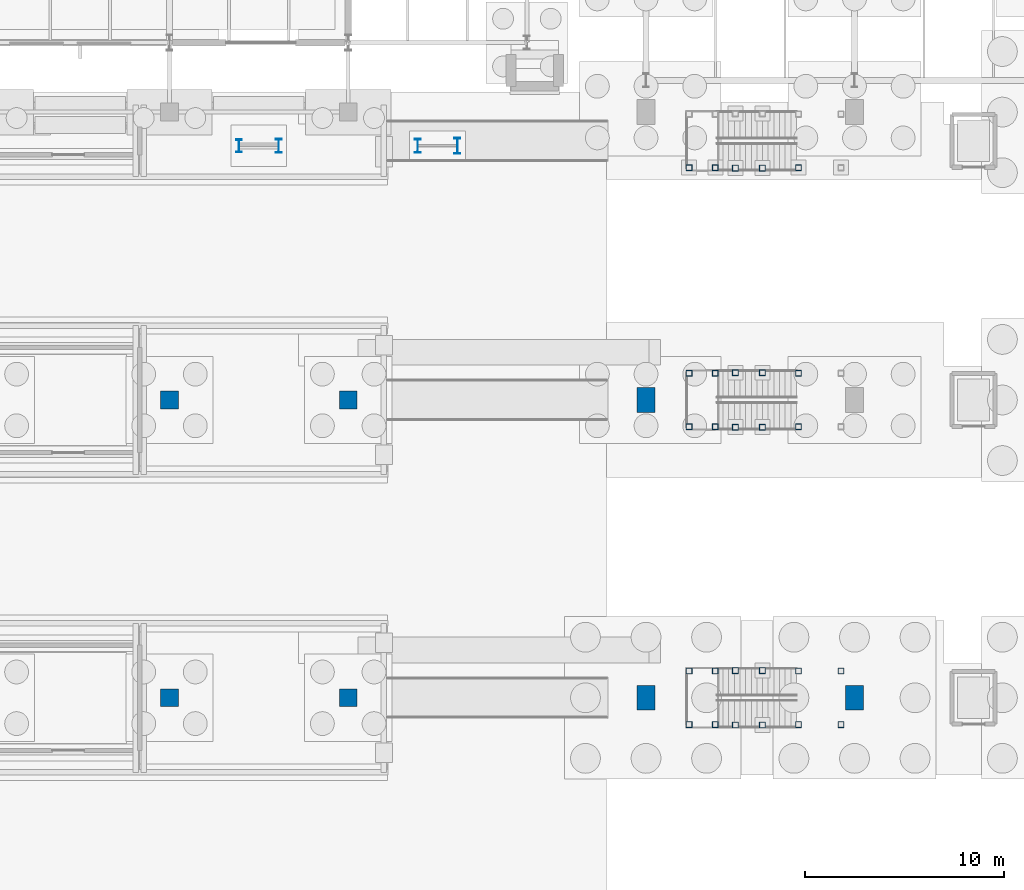
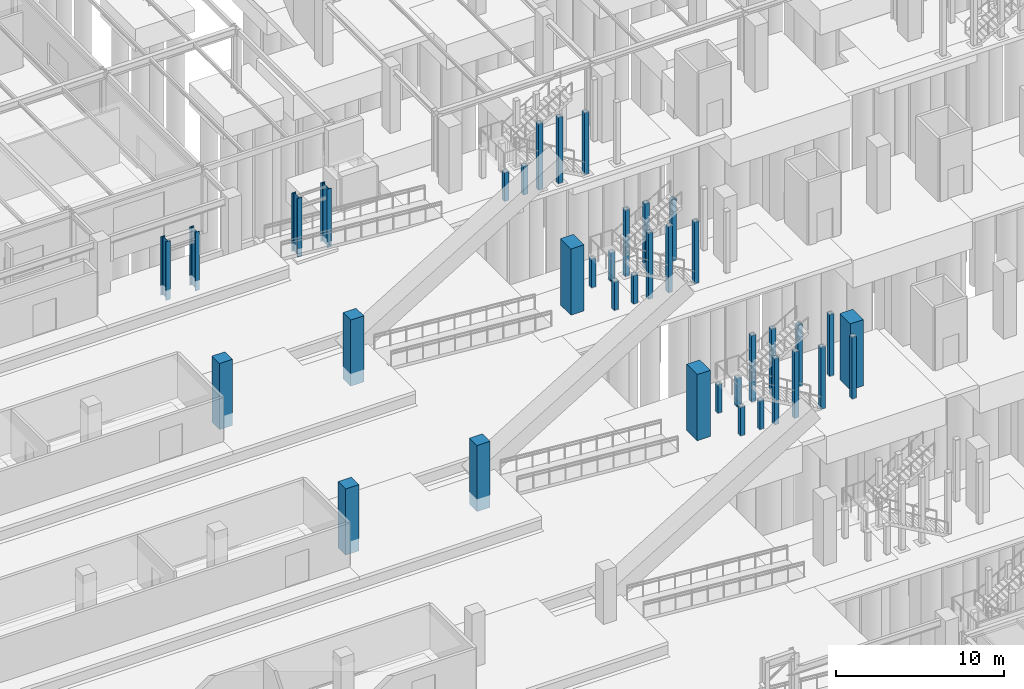
# One storey, part 22 of 160: 38 columns.
"""IFC4 building model written with IfcOpenShell, lengths in metres."""

from ifc_helpers import new_model, si_unit, direction, frame, origin, origin_2d, place, context, subcontext, project, spatial, rectangle, hollow_rectangle, i_section, extrude, material, material_profile, profile_set, type_object, element, save


model = new_model("IFC4")

# Units and contexts
model_context = context("Model", 3, precision=1e-05, world=origin(), true_north=direction((0.0, 1.0)))
body_context = subcontext(model_context, "Body", "Model", "MODEL_VIEW")
ifc_project = project(units=[si_unit("LENGTHUNIT", "METRE"), si_unit("AREAUNIT", "SQUARE_METRE"), si_unit("VOLUMEUNIT", "CUBIC_METRE"), si_unit("PLANEANGLEUNIT", "RADIAN"), si_unit("MASSUNIT", "GRAM", prefix="KILO")], contexts=[model_context])

# Site, building, storey
site_placement = place(None, origin())
site = spatial("IfcSite", under=ifc_project, at=site_placement, CompositionType="ELEMENT")
building_placement = place(site_placement, origin())
building = spatial("IfcBuilding", under=site, at=building_placement, Name="Marlcrest Central Station", CompositionType="ELEMENT")
storey_placement = place(building_placement, origin())
storey = spatial("IfcBuildingStorey", under=building, at=storey_placement, Name="L00", CompositionType="ELEMENT", Elevation=0.0)

# Columns
ifc_material_1 = material(Name="Concrete C50/60", Category="concrete")
ifc_material_profile_1 = material_profile(ifc_material_1, rectangle(XDim=0.89990234375, YDim=0.89990234375, at=origin_2d()), Name="RC 900x900")
ifc_profile_set_1 = profile_set([ifc_material_profile_1], Name="Concrete C50/60")
column_type_1 = type_object("IfcColumnType", Name="RC-08", PredefinedType="COLUMN", material=ifc_profile_set_1)
for number, where, z_axis, x_axis, name in (
    (1, (63.0, 66.0, 0.0), (0.0, 0.0, 1.0), (1.0, 0.0, 0.0), "col-RC-08-L00-0486"),
    (2, (63.0, 81.0, 0.0), (0.0, 0.0, 1.0), (1.0, 0.0, 0.0), "col-RC-08-L00-0488"),
    (3, (72.0, 66.0, 0.0), (0.0, 0.0, 1.0), (1.0, 0.0, 0.0), "col-RC-08-L00-0496"),
    (4, (72.0, 81.0, 0.0), (0.0, 0.0, 1.0), (1.0, 0.0, 0.0), "col-RC-08-L00-0498"),
):
    element("IfcColumn", number, at=place(storey_placement, frame(where, z_axis=z_axis, x_axis=x_axis)), inside=storey, type_object=column_type_1, Name=name, PredefinedType="COLUMN", context=body_context, shape_type="SweptSolid", body=[
        extrude(rectangle(XDim=0.89990234375, YDim=0.89990234375, at=origin_2d()), origin(), (0.0, 0.0, 1.0), 4.800048828125),
    ])
ifc_material_profile_2 = material_profile(ifc_material_1, rectangle(XDim=0.89990234375, YDim=1.25, at=origin_2d()), Name="RC 900x1250")
ifc_profile_set_2 = profile_set([ifc_material_profile_2], Name="Concrete C50/60")
column_type_2 = type_object("IfcColumnType", Name="RC-12", PredefinedType="COLUMN", material=ifc_profile_set_2)
for number, where, z_axis, x_axis, name in (
    (5, (87.0, 66.0, 0.0), (0.0, 0.0, 1.0), (1.0, 0.0, 0.0), "col-RC-12-L00-0621"),
    (6, (87.0, 81.0, 0.0), (0.0, 0.0, 1.0), (1.0, 0.0, 0.0), "col-RC-12-L00-0623"),
    (7, (97.5, 66.0, 0.0), (0.0, 0.0, 1.0), (1.0, 0.0, 0.0), "col-RC-12-L00-0631"),
):
    element("IfcColumn", number, at=place(storey_placement, frame(where, z_axis=z_axis, x_axis=x_axis)), inside=storey, type_object=column_type_2, Name=name, PredefinedType="COLUMN", context=body_context, shape_type="SweptSolid", body=[
        extrude(rectangle(XDim=0.89990234375, YDim=1.25, at=origin_2d()), origin(), (0.0, 0.0, 1.0), 4.800048828125),
    ])
ifc_material_2 = material(Name="Steel S355", Category="steel")
ifc_material_profile_3 = material_profile(ifc_material_2, i_section(OverallWidth=0.300048828125, OverallDepth=0.639892578125, WebThickness=0.013427734375, FlangeThickness=0.02587890625, FilletRadius=0.027099609375, at=origin_2d()), Name="HEA 650")
ifc_profile_set_3 = profile_set([ifc_material_profile_3], Name="Steel S355")
column_type_3 = type_object("IfcColumnType", Name="SC-15", PredefinedType="COLUMN", material=ifc_profile_set_3)
column_1_placement = place(storey_placement, frame((66.5, 93.800048828125, 0.199951171875), z_axis=(0.0, 0.0, 1.0), x_axis=(1.0, 0.0, 0.0)))
element("IfcColumn", 8, at=column_1_placement, inside=storey, type_object=column_type_3, Name="col-SC-15-L00-0915", PredefinedType="COLUMN", context=body_context, shape_type="SweptSolid", body=[
    extrude(i_section(OverallWidth=0.300048828125, OverallDepth=0.639892578125, WebThickness=0.013427734375, FlangeThickness=0.02587890625, FilletRadius=0.027099609375, at=origin_2d()), origin(), (0.0, 0.0, 1.0), 4.25),
])
ifc_material_profile_4 = material_profile(ifc_material_2, i_section(OverallWidth=0.300048828125, OverallDepth=0.68994140625, WebThickness=0.014404296875, FlangeThickness=0.027099609375, FilletRadius=0.027099609375, at=origin_2d()), Name="HEA 700")
ifc_profile_set_4 = profile_set([ifc_material_profile_4], Name="Steel S355")
column_type_4 = type_object("IfcColumnType", Name="SC-16", PredefinedType="COLUMN", material=ifc_profile_set_4)
for number, where, z_axis, x_axis, name in (
    (9, (68.5, 93.800048828125, 0.199951171875), (0.0, 0.0, 1.0), (1.0, 0.0, 0.0), "col-SC-16-L00-0916"),
    (10, (75.5, 93.800048828125, 0.199951171875), (0.0, 0.0, 1.0), (1.0, 0.0, 0.0), "col-SC-16-L00-0919"),
):
    element("IfcColumn", number, at=place(storey_placement, frame(where, z_axis=z_axis, x_axis=x_axis)), inside=storey, type_object=column_type_4, Name=name, PredefinedType="COLUMN", context=body_context, shape_type="SweptSolid", body=[
        extrude(i_section(OverallWidth=0.300048828125, OverallDepth=0.68994140625, WebThickness=0.014404296875, FlangeThickness=0.027099609375, FilletRadius=0.027099609375, at=origin_2d()), origin(), (0.0, 0.0, 1.0), 4.25),
    ])
ifc_material_profile_5 = material_profile(ifc_material_2, i_section(OverallWidth=0.300048828125, OverallDepth=0.7900390625, WebThickness=0.014892578125, FlangeThickness=0.028076171875, FilletRadius=0.030029296875, at=origin_2d()), Name="HEA 800")
ifc_profile_set_5 = profile_set([ifc_material_profile_5], Name="Steel S355")
column_type_5 = type_object("IfcColumnType", Name="SC-17", PredefinedType="COLUMN", material=ifc_profile_set_5)
column_2_placement = place(storey_placement, frame((77.5, 93.800048828125, 0.199951171875), z_axis=(0.0, 0.0, 1.0), x_axis=(1.0, 0.0, 0.0)))
element("IfcColumn", 11, at=column_2_placement, inside=storey, type_object=column_type_5, Name="col-SC-17-L00-0920", PredefinedType="COLUMN", context=body_context, shape_type="SweptSolid", body=[
    extrude(i_section(OverallWidth=0.300048828125, OverallDepth=0.7900390625, WebThickness=0.014892578125, FlangeThickness=0.028076171875, FilletRadius=0.030029296875, at=origin_2d()), origin(), (0.0, 0.0, 1.0), 4.25),
])
ifc_material_profile_6 = material_profile(ifc_material_2, hollow_rectangle(XDim=0.300048828125, YDim=0.300048828125, WallThickness=0.01611328125, at=origin_2d()), Name="SHS 300x300x16")
ifc_profile_set_6 = profile_set([ifc_material_profile_6], Name="Steel S355")
column_type_6 = type_object("IfcColumnType", Name="SC-19", PredefinedType="COLUMN", material=ifc_profile_set_6)
for number, where, z_axis, x_axis, name in (
    (12, (94.679931640625, 64.64990234375, 0.0), (0.0, 0.0, 1.0), (1.0, 0.0, 0.0), "stcol-tr-0013-946-646"),
    (13, (94.679931640625, 67.35009765625, 0.0), (0.0, 0.0, 1.0), (1.0, 0.0, 0.0), "stcol-tr-0013-946-673"),
    (14, (96.820068359375, 64.64990234375, 0.0), (0.0, 0.0, 1.0), (1.0, 0.0, 0.0), "stcol-tr-0013-968-646"),
    (15, (96.820068359375, 67.35009765625, 0.0), (0.0, 0.0, 1.0), (1.0, 0.0, 0.0), "stcol-tr-0013-968-673"),
):
    element("IfcColumn", number, at=place(storey_placement, frame(where, z_axis=z_axis, x_axis=x_axis)), inside=storey, type_object=column_type_6, Name=name, PredefinedType="COLUMN", context=body_context, shape_type="SweptSolid", body=[
        extrude(hollow_rectangle(XDim=0.300048828125, YDim=0.300048828125, WallThickness=0.01611328125, at=origin_2d()), origin(), (0.0, 0.0, 1.0), 4.47998046875),
    ])
for number, where, z_axis, x_axis, name in (
    (16, (89.169921875, 64.64990234375, 0.0), (0.0, 0.0, 1.0), (1.0, 0.0, 0.0), "stcol-0014-891-646"),
    (17, (89.169921875, 67.35009765625, 0.0), (0.0, 0.0, 1.0), (1.0, 0.0, 0.0), "stcol-0014-891-673"),
    (18, (90.489990234375, 64.64990234375, 0.0), (0.0, 0.0, 1.0), (1.0, 0.0, 0.0), "stcol-0014-904-646"),
    (19, (90.489990234375, 67.35009765625, 0.0), (0.0, 0.0, 1.0), (1.0, 0.0, 0.0), "stcol-0014-904-673"),
):
    element("IfcColumn", number, at=place(storey_placement, frame(where, z_axis=z_axis, x_axis=x_axis)), inside=storey, type_object=column_type_6, Name=name, PredefinedType="COLUMN", context=body_context, shape_type="SweptSolid", body=[
        extrude(hollow_rectangle(XDim=0.300048828125, YDim=0.300048828125, WallThickness=0.01611328125, at=origin_2d()), origin(), (0.0, 0.0, 1.0), 2.080078125),
    ])
for number, where, z_axis, x_axis, name in (
    (20, (91.5, 64.6298828125, 0.0), (0.0, 0.0, 1.0), (1.0, 0.0, 0.0), "stcol-hi0-0015-915-646"),
    (21, (91.5, 67.3701171875, 0.0), (0.0, 0.0, 1.0), (1.0, 0.0, 0.0), "stcol-hi0-0015-915-673"),
    (22, (92.860107421875, 64.6298828125, 0.0), (0.0, 0.0, 1.0), (1.0, 0.0, 0.0), "stcol-hi0-0015-928-646"),
    (23, (92.860107421875, 67.3701171875, 0.0), (0.0, 0.0, 1.0), (1.0, 0.0, 0.0), "stcol-hi0-0015-928-673"),
):
    element("IfcColumn", number, at=place(storey_placement, frame(where, z_axis=z_axis, x_axis=x_axis)), inside=storey, type_object=column_type_6, Name=name, PredefinedType="COLUMN", context=body_context, shape_type="SweptSolid", body=[
        extrude(hollow_rectangle(XDim=0.300048828125, YDim=0.300048828125, WallThickness=0.01611328125, at=origin_2d()), origin(), (0.0, 0.0, 1.0), 4.800048828125),
    ])
for number, where, z_axis, x_axis, name in (
    (24, (94.679931640625, 79.64990234375, 0.0), (0.0, 0.0, 1.0), (1.0, 0.0, 0.0), "stcol-tr-0019-946-796"),
    (25, (94.679931640625, 82.35009765625, 0.0), (0.0, 0.0, 1.0), (1.0, 0.0, 0.0), "stcol-tr-0019-946-823"),
):
    element("IfcColumn", number, at=place(storey_placement, frame(where, z_axis=z_axis, x_axis=x_axis)), inside=storey, type_object=column_type_6, Name=name, PredefinedType="COLUMN", context=body_context, shape_type="SweptSolid", body=[
        extrude(hollow_rectangle(XDim=0.300048828125, YDim=0.300048828125, WallThickness=0.01611328125, at=origin_2d()), origin(), (0.0, 0.0, 1.0), 4.47998046875),
    ])
for number, where, z_axis, x_axis, name in (
    (26, (89.169921875, 79.64990234375, 0.0), (0.0, 0.0, 1.0), (1.0, 0.0, 0.0), "stcol-0020-891-796"),
    (27, (89.169921875, 82.35009765625, 0.0), (0.0, 0.0, 1.0), (1.0, 0.0, 0.0), "stcol-0020-891-823"),
    (28, (90.489990234375, 79.64990234375, 0.0), (0.0, 0.0, 1.0), (1.0, 0.0, 0.0), "stcol-0020-904-796"),
    (29, (90.489990234375, 82.35009765625, 0.0), (0.0, 0.0, 1.0), (1.0, 0.0, 0.0), "stcol-0020-904-823"),
):
    element("IfcColumn", number, at=place(storey_placement, frame(where, z_axis=z_axis, x_axis=x_axis)), inside=storey, type_object=column_type_6, Name=name, PredefinedType="COLUMN", context=body_context, shape_type="SweptSolid", body=[
        extrude(hollow_rectangle(XDim=0.300048828125, YDim=0.300048828125, WallThickness=0.01611328125, at=origin_2d()), origin(), (0.0, 0.0, 1.0), 2.080078125),
    ])
for number, where, z_axis, x_axis, name in (
    (30, (91.5, 79.6298828125, 0.0), (0.0, 0.0, 1.0), (1.0, 0.0, 0.0), "stcol-hi0-0021-915-796"),
    (31, (91.5, 82.3701171875, 0.0), (0.0, 0.0, 1.0), (1.0, 0.0, 0.0), "stcol-hi0-0021-915-823"),
    (32, (92.860107421875, 79.6298828125, 0.0), (0.0, 0.0, 1.0), (1.0, 0.0, 0.0), "stcol-hi0-0021-928-796"),
    (33, (92.860107421875, 82.3701171875, 0.0), (0.0, 0.0, 1.0), (1.0, 0.0, 0.0), "stcol-hi0-0021-928-823"),
):
    element("IfcColumn", number, at=place(storey_placement, frame(where, z_axis=z_axis, x_axis=x_axis)), inside=storey, type_object=column_type_6, Name=name, PredefinedType="COLUMN", context=body_context, shape_type="SweptSolid", body=[
        extrude(hollow_rectangle(XDim=0.300048828125, YDim=0.300048828125, WallThickness=0.01611328125, at=origin_2d()), origin(), (0.0, 0.0, 1.0), 4.800048828125),
    ])
column_3_placement = place(storey_placement, frame((94.679931640625, 92.699951171875, 0.0), z_axis=(0.0, 0.0, 1.0), x_axis=(1.0, 0.0, 0.0)))
element("IfcColumn", 34, at=column_3_placement, inside=storey, type_object=column_type_6, Name="stcol-tr-0025-946-927", PredefinedType="COLUMN", context=body_context, shape_type="SweptSolid", body=[
    extrude(hollow_rectangle(XDim=0.300048828125, YDim=0.300048828125, WallThickness=0.01611328125, at=origin_2d()), origin(), (0.0, 0.0, 1.0), 4.47998046875),
])
for number, where, z_axis, x_axis, name in (
    (35, (89.169921875, 92.699951171875, 0.0), (0.0, 0.0, 1.0), (1.0, 0.0, 0.0), "stcol-0026-891-927"),
    (36, (90.489990234375, 92.699951171875, 0.0), (0.0, 0.0, 1.0), (1.0, 0.0, 0.0), "stcol-0026-904-927"),
):
    element("IfcColumn", number, at=place(storey_placement, frame(where, z_axis=z_axis, x_axis=x_axis)), inside=storey, type_object=column_type_6, Name=name, PredefinedType="COLUMN", context=body_context, shape_type="SweptSolid", body=[
        extrude(hollow_rectangle(XDim=0.300048828125, YDim=0.300048828125, WallThickness=0.01611328125, at=origin_2d()), origin(), (0.0, 0.0, 1.0), 2.080078125),
    ])
for number, where, z_axis, x_axis, name in (
    (37, (91.5, 92.679931640625, 0.0), (0.0, 0.0, 1.0), (1.0, 0.0, 0.0), "stcol-hi0-0027-915-926"),
    (38, (92.860107421875, 92.679931640625, 0.0), (0.0, 0.0, 1.0), (1.0, 0.0, 0.0), "stcol-hi0-0027-928-926"),
):
    element("IfcColumn", number, at=place(storey_placement, frame(where, z_axis=z_axis, x_axis=x_axis)), inside=storey, type_object=column_type_6, Name=name, PredefinedType="COLUMN", context=body_context, shape_type="SweptSolid", body=[
        extrude(hollow_rectangle(XDim=0.300048828125, YDim=0.300048828125, WallThickness=0.01611328125, at=origin_2d()), origin(), (0.0, 0.0, 1.0), 4.800048828125),
    ])

save(model, "model.ifc")
